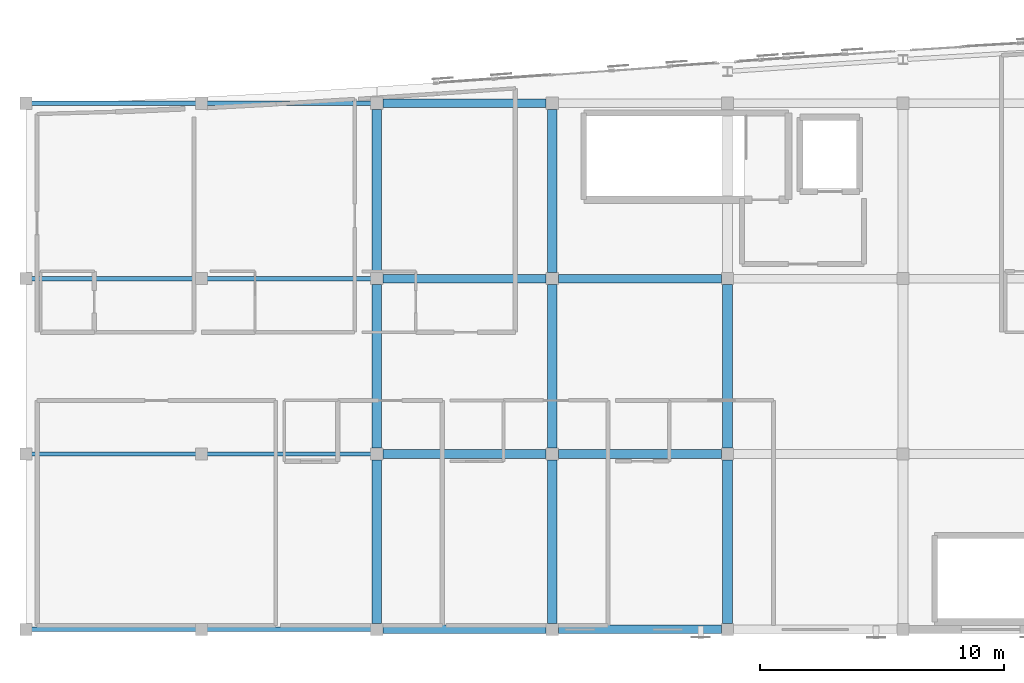
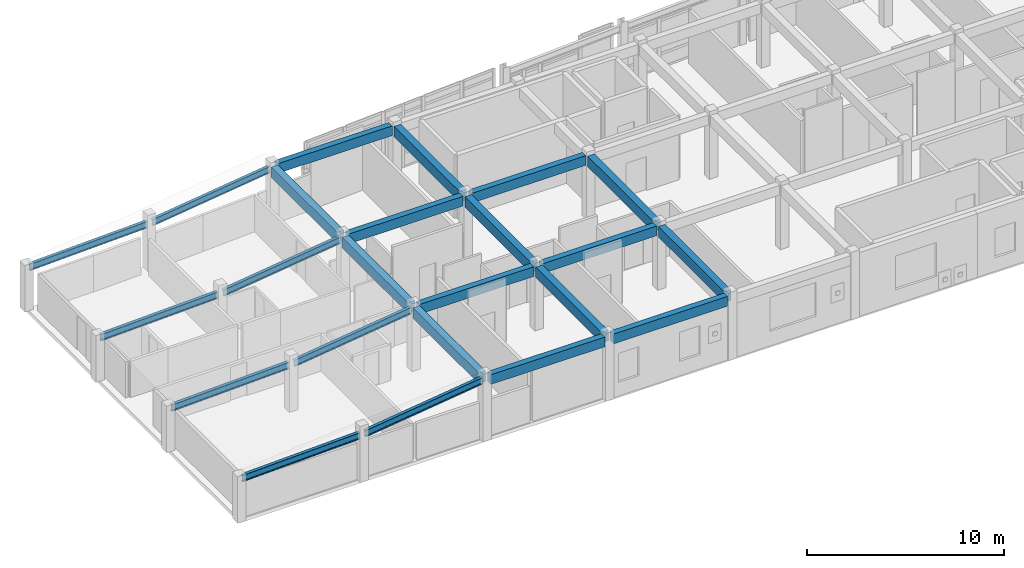
# One storey, part 3 of 24: 23 beams.
"""IFC4 building model written with IfcOpenShell, lengths in metres."""

from ifc_helpers import new_model, si_unit, direction, frame, origin, origin_2d, place, context, subcontext, project, spatial, rectangle, i_section, extrude, material, material_profile, profile_set, type_object, element, save


model = new_model("IFC4")

# Units and contexts
model_context = context("Model", 3, precision=1e-05, world=origin(), true_north=direction((0.0, 1.0)))
body_context = subcontext(model_context, "Body", "Model", "MODEL_VIEW")
ifc_project = project(units=[si_unit("LENGTHUNIT", "METRE"), si_unit("AREAUNIT", "SQUARE_METRE"), si_unit("VOLUMEUNIT", "CUBIC_METRE"), si_unit("PLANEANGLEUNIT", "RADIAN"), si_unit("MASSUNIT", "GRAM", prefix="KILO")], contexts=[model_context])

# Site, building, storey
site_placement = place(None, origin())
site = spatial("IfcSite", under=ifc_project, at=site_placement, CompositionType="ELEMENT")
building_placement = place(site_placement, origin())
building = spatial("IfcBuilding", under=site, at=building_placement, Name="Carrowvane Square Congress Hotel", CompositionType="ELEMENT")
storey_placement = place(building_placement, frame((0.0, 0.0, 44.39990234375)))
storey = spatial("IfcBuildingStorey", under=building, at=storey_placement, Name="L11", CompositionType="ELEMENT", Elevation=44.39990234375)

# Beams
ifc_material_1 = material(Name="Concrete C35/45", Category="concrete")
ifc_material_profile_1 = material_profile(ifc_material_1, rectangle(XDim=0.35009765625, YDim=0.60009765625, at=origin_2d()), Name="RC 350x600")
ifc_profile_set_1 = profile_set([ifc_material_profile_1], Name="Concrete C35/45")
beam_type_1 = type_object("IfcBeamType", Name="BM-RC-350x600", PredefinedType="BEAM", material=ifc_profile_set_1)
for number, where, z_axis, x_axis, name in (
    (1, (47.85009765625, 91.800048828125, 3.650146484375), (1.0, 0.0, 0.0), (0.0, 1.0, 0.0), "RF girder N/6-7"),
    (2, (55.050048828125, 91.800048828125, 3.650146484375), (1.0, 0.0, 0.0), (0.0, 1.0, 0.0), "RF girder N/7-8"),
    (3, (47.85009765625, 99.0, 3.650146484375), (1.0, 0.0, 0.0), (0.0, 1.0, 0.0), "RF girder P/6-7"),
    (4, (55.050048828125, 99.0, 3.650146484375), (1.0, 0.0, 0.0), (0.0, 1.0, 0.0), "RF girder P/7-8"),
    (5, (47.85009765625, 106.199951171875, 3.650146484375), (1.0, 0.0, 0.0), (0.0, 1.0, 0.0), "RF girder Q/6-7"),
    (6, (55.050048828125, 106.199951171875, 3.650146484375), (1.0, 0.0, 0.0), (0.0, 1.0, 0.0), "RF girder Q/7-8"),
    (7, (47.85009765625, 113.39990234375, 3.650146484375), (1.0, 0.0, 0.0), (0.0, 1.0, 0.0), "RF girder R/6-7"),
):
    element("IfcBeam", number, at=place(storey_placement, frame(where, z_axis=z_axis, x_axis=x_axis)), inside=storey, type_object=beam_type_1, Name=name, PredefinedType="BEAM", context=body_context, shape_type="SweptSolid", body=[
        extrude(rectangle(XDim=0.35009765625, YDim=0.60009765625, at=origin_2d()), origin(), (0.0, 0.0, 1.0), 6.699951171875),
    ])
ifc_material_2 = material(Name="Concrete C35/45", Category="concrete")
ifc_material_profile_2 = material_profile(ifc_material_2, rectangle(XDim=0.39990234375, YDim=0.64990234375, at=origin_2d()), Name="RC 400x650")
ifc_profile_set_2 = profile_set([ifc_material_profile_2], Name="Concrete C35/45")
beam_type_2 = type_object("IfcBeamType", Name="BM-RC-400x650", PredefinedType="BEAM", material=ifc_profile_set_2)
for number, where, z_axis, x_axis, name in (
    (8, (47.60009765625, 92.050048828125, 3.625), (0.0, 1.0, 0.0), (-1.0, 0.0, 0.0), "RF girder 6/N-P"),
    (9, (47.60009765625, 99.25, 3.625), (0.0, 1.0, 0.0), (-1.0, 0.0, 0.0), "RF girder 6/P-Q"),
    (10, (47.60009765625, 106.449951171875, 3.625), (0.0, 1.0, 0.0), (-1.0, 0.0, 0.0), "RF girder 6/Q-R"),
    (11, (54.800048828125, 92.050048828125, 3.625), (0.0, 1.0, 0.0), (-1.0, 0.0, 0.0), "RF girder 7/N-P"),
    (12, (54.800048828125, 99.25, 3.625), (0.0, 1.0, 0.0), (-1.0, 0.0, 0.0), "RF girder 7/P-Q"),
    (13, (54.800048828125, 106.449951171875, 3.625), (0.0, 1.0, 0.0), (-1.0, 0.0, 0.0), "RF girder 7/Q-R"),
    (14, (62.0, 92.050048828125, 3.625), (0.0, 1.0, 0.0), (-1.0, 0.0, 0.0), "RF girder 8/N-P"),
    (15, (62.0, 99.25, 3.625), (0.0, 1.0, 0.0), (-1.0, 0.0, 0.0), "RF girder 8/P-Q"),
):
    element("IfcBeam", number, at=place(storey_placement, frame(where, z_axis=z_axis, x_axis=x_axis)), inside=storey, type_object=beam_type_2, Name=name, PredefinedType="BEAM", context=body_context, shape_type="SweptSolid", body=[
        extrude(rectangle(XDim=0.39990234375, YDim=0.64990234375, at=origin_2d()), origin(), (0.0, 0.0, 1.0), 6.699951171875),
    ])
ifc_material_3 = material(Name="Steel S355", Category="steel")
ifc_material_profile_3 = material_profile(ifc_material_3, i_section(OverallWidth=0.1787109375, OverallDepth=0.409423828125, WebThickness=0.0087890625, FlangeThickness=0.014404296875, FilletRadius=0.01025390625, at=origin_2d()), Name="UKB 406x178x67")
ifc_profile_set_3 = profile_set([ifc_material_profile_3], Name="Steel S355")
beam_type_3 = type_object("IfcBeamType", Name="BM-ST-UKB406", PredefinedType="BEAM", material=ifc_profile_set_3)
for number, where, z_axis, x_axis, name in (
    (16, (33.35009765625, 91.800048828125, 2.530029296875), (0.999344252281, 0.0, 0.036208637546), (0.0, 1.0, 0.0), "L11 shallow-arc roof rafter 1"),
    (17, (33.35009765625, 99.0, 2.530029296875), (0.999344252281, 0.0, 0.036208637546), (0.0, 1.0, 0.0), "L11 shallow-arc roof rafter 2"),
    (18, (33.35009765625, 106.199951171875, 2.530029296875), (0.999344252281, 0.0, 0.036208637546), (0.0, 1.0, 0.0), "L11 shallow-arc roof rafter 3"),
    (19, (33.35009765625, 113.39990234375, 2.530029296875), (0.999344252281, 0.0, 0.036208637546), (0.0, 1.0, 0.0), "L11 shallow-arc roof rafter 4"),
):
    element("IfcBeam", number, at=place(storey_placement, frame(where, z_axis=z_axis, x_axis=x_axis)), inside=storey, type_object=beam_type_3, Name=name, PredefinedType="BEAM", context=body_context, shape_type="SweptSolid", body=[
        extrude(i_section(OverallWidth=0.1787109375, OverallDepth=0.409423828125, WebThickness=0.0087890625, FlangeThickness=0.014404296875, FilletRadius=0.01025390625, at=origin_2d()), origin(), (0.0, 0.0, 1.0), 6.904541015625),
    ])
for number, where, z_axis, x_axis, name in (
    (20, (40.550048828125, 91.800048828125, 2.780029296875), (0.991597476237, 0.0, 0.129361683352), (0.0, 1.0, 0.0), "L11 shallow-arc roof rafter 5"),
    (21, (40.550048828125, 99.0, 2.780029296875), (0.991597476237, 0.0, 0.129361683352), (0.0, 1.0, 0.0), "L11 shallow-arc roof rafter 6"),
    (22, (40.550048828125, 106.199951171875, 2.780029296875), (0.991597476237, 0.0, 0.129361683352), (0.0, 1.0, 0.0), "L11 shallow-arc roof rafter 7"),
    (23, (40.550048828125, 113.39990234375, 2.780029296875), (0.991597476237, 0.0, 0.129361683352), (0.0, 1.0, 0.0), "L11 shallow-arc roof rafter 8"),
):
    element("IfcBeam", number, at=place(storey_placement, frame(where, z_axis=z_axis, x_axis=x_axis)), inside=storey, type_object=beam_type_3, Name=name, PredefinedType="BEAM", context=body_context, shape_type="SweptSolid", body=[
        extrude(i_section(OverallWidth=0.1787109375, OverallDepth=0.409423828125, WebThickness=0.0087890625, FlangeThickness=0.014404296875, FilletRadius=0.01025390625, at=origin_2d()), origin(), (0.0, 0.0, 1.0), 6.958251953125),
    ])

save(model, "model.ifc")
